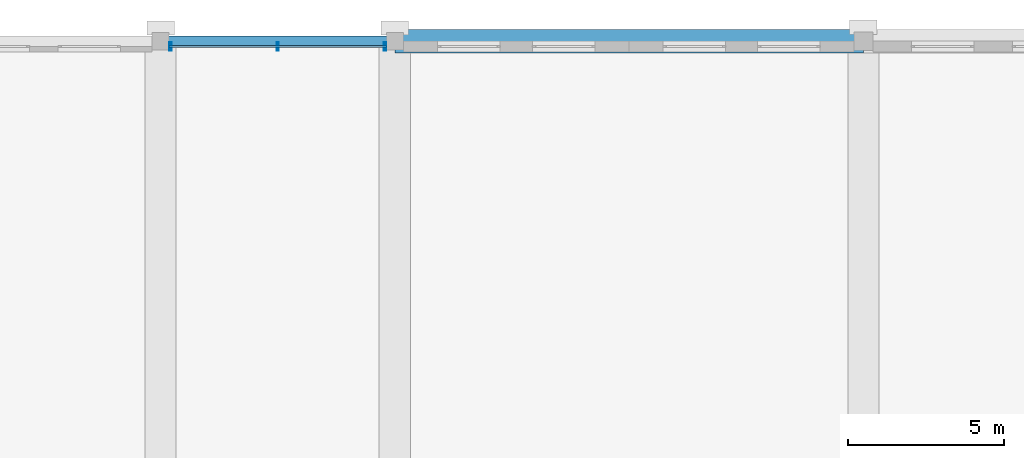
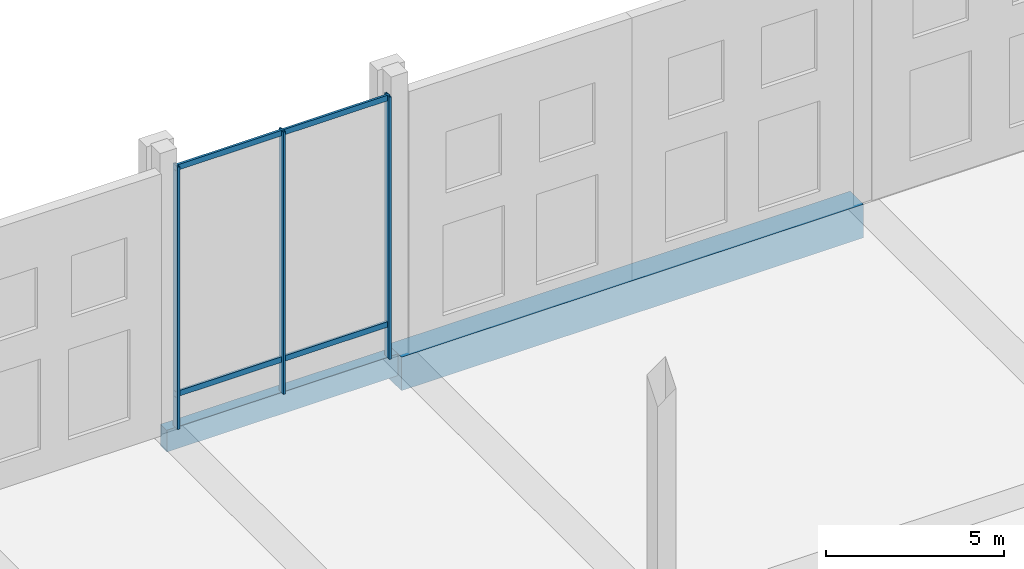
# One storey, part 37 of 80: 5 members, 2 beams, 1 element without a shape of its own.
"""IFC4 building model written with IfcOpenShell, lengths in metres."""

from ifc_helpers import new_model, si_unit, direction, frame, origin, origin_2d, place, context, subcontext, project, spatial, rectangle, hollow_rectangle, extrude, material, material_profile, profile_set, type_object, element, aggregate, save


model = new_model("IFC4")

# Units and contexts
model_context = context("Model", 3, precision=1e-05, world=origin(), true_north=direction((0.0, 1.0)))
body_context = subcontext(model_context, "Body", "Model", "MODEL_VIEW")
ifc_project = project(units=[si_unit("LENGTHUNIT", "METRE"), si_unit("AREAUNIT", "SQUARE_METRE"), si_unit("VOLUMEUNIT", "CUBIC_METRE"), si_unit("PLANEANGLEUNIT", "RADIAN"), si_unit("MASSUNIT", "GRAM", prefix="KILO")], contexts=[model_context])

# Site, building, storey
site_placement = place(None, origin())
site = spatial("IfcSite", under=ifc_project, at=site_placement, CompositionType="ELEMENT")
building_placement = place(site_placement, origin())
building = spatial("IfcBuilding", under=site, at=building_placement, Name="Akrevak Sports Hall", CompositionType="ELEMENT")
storey_placement = place(building_placement, frame((0.0, 0.0, 14.0)))
storey = spatial("IfcBuildingStorey", under=building, at=storey_placement, Name="L03", CompositionType="ELEMENT", Elevation=14.0)

# Curtain wall, members
ifc_material_1 = material(Name="Anodized Bronze Aluminium & Low-E Glass", Category="aluminium")
curtain_wall_type = type_object("IfcCurtainWallType", Name="ARC-CW-POD-64x94", PredefinedType="NOTDEFINED", material=ifc_material_1)
curtain_wall_placement = place(storey_placement, origin())
curtain_wall = element("IfcCurtainWall", 1, at=curtain_wall_placement, inside=storey, type_object=curtain_wall_type, Name="Curtain Wall CW-L03-N06", PredefinedType="NOTDEFINED")
ifc_material_2 = material(Name="Anodized Bronze Aluminium", Category="aluminium")
ifc_material_profile_1 = material_profile(ifc_material_2, hollow_rectangle(XDim=0.074951171875, YDim=0.260009765625, WallThickness=0.0048828125, at=origin_2d()), Name="CWM 75x260", Category="aluminium")
ifc_profile_set_1 = profile_set([ifc_material_profile_1], Name="Anodized Bronze Aluminium")
member_type_1 = type_object("IfcMemberType", Name="ARC-CWM-80x180", PredefinedType="MULLION", material=ifc_profile_set_1)
member_1_placement = place(storey_placement, frame((44.68505859375, 113.830078125, 0.0), z_axis=(0.0, 0.0, 1.0), x_axis=(-1.0, 0.0, 0.0)))
member_1 = element("IfcMember", 2, at=member_1_placement, type_object=member_type_1, Name="Curtain Wall Mullion CW-L03-N06-M1", PredefinedType="MULLION", context=body_context, shape_type="SweptSolid", body=[
    extrude(hollow_rectangle(XDim=0.074951171875, YDim=0.260009765625, WallThickness=0.0048828125, at=origin_2d()), origin(), (0.0, 0.0, 1.0), 9.0),
])
member_2_placement = place(storey_placement, frame((41.25, 113.830078125, 0.0), z_axis=(0.0, 0.0, 1.0), x_axis=(-1.0, 0.0, 0.0)))
member_2 = element("IfcMember", 3, at=member_2_placement, type_object=member_type_1, Name="Curtain Wall Mullion CW-L03-N06-M2", PredefinedType="MULLION", context=body_context, shape_type="SweptSolid", body=[
    extrude(hollow_rectangle(XDim=0.074951171875, YDim=0.260009765625, WallThickness=0.0048828125, at=origin_2d()), origin(), (0.0, 0.0, 1.0), 9.0),
])
member_3_placement = place(storey_placement, frame((37.81494140625, 113.830078125, 0.0), z_axis=(0.0, 0.0, 1.0), x_axis=(-1.0, 0.0, 0.0)))
member_3 = element("IfcMember", 4, at=member_3_placement, type_object=member_type_1, Name="Curtain Wall Mullion CW-L03-N06-M3", PredefinedType="MULLION", context=body_context, shape_type="SweptSolid", body=[
    extrude(hollow_rectangle(XDim=0.074951171875, YDim=0.260009765625, WallThickness=0.0048828125, at=origin_2d()), origin(), (0.0, 0.0, 1.0), 9.0),
])
ifc_material_profile_2 = material_profile(ifc_material_2, hollow_rectangle(XDim=0.074951171875, YDim=0.18994140625, WallThickness=0.00439453125, at=origin_2d()), Name="CWT 75x190", Category="aluminium")
ifc_profile_set_2 = profile_set([ifc_material_profile_2], Name="Anodized Bronze Aluminium")
member_type_2 = type_object("IfcMemberType", Name="ARC-CWT-80x150", PredefinedType="USERDEFINED", material=ifc_profile_set_2)
member_4_placement = place(storey_placement, frame((44.72509765625, 113.830078125, 1.14990234375), z_axis=(-1.0, 0.0, 0.0), x_axis=(0.0, -1.0, 0.0)))
member_4 = element("IfcMember", 5, at=member_4_placement, type_object=member_type_2, Name="Curtain Wall Transom CW-L03-N06-T1", ObjectType="TRANSOM", PredefinedType="USERDEFINED", context=body_context, shape_type="SweptSolid", body=[
    extrude(hollow_rectangle(XDim=0.074951171875, YDim=0.18994140625, WallThickness=0.00439453125, at=origin_2d()), origin(), (0.0, 0.0, 1.0), 6.9501953125),
])
member_5_placement = place(storey_placement, frame((44.72509765625, 113.830078125, 8.919921875), z_axis=(-1.0, 0.0, 0.0), x_axis=(0.0, -1.0, 0.0)))
member_5 = element("IfcMember", 6, at=member_5_placement, type_object=member_type_2, Name="Curtain Wall Transom CW-L03-N06-T2", ObjectType="TRANSOM", PredefinedType="USERDEFINED", context=body_context, shape_type="SweptSolid", body=[
    extrude(hollow_rectangle(XDim=0.074951171875, YDim=0.18994140625, WallThickness=0.00439453125, at=origin_2d()), origin(), (0.0, 0.0, 1.0), 6.9501953125),
])
aggregate(curtain_wall, [member_1, member_2, member_3, member_4, member_5])

# Beams
ifc_material_3 = material(Name="Concrete C50/60", Category="concrete")
ifc_material_profile_3 = material_profile(ifc_material_3, rectangle(XDim=0.75, YDim=1.14990234375, at=origin_2d()), Name="SPD 750x1150", Category="concrete")
ifc_profile_set_3 = profile_set([ifc_material_profile_3], Name="Concrete C50/60")
beam_type_1 = type_object("IfcBeamType", Name="STR-SPD-LSP750x1150", PredefinedType="SPANDREL", material=ifc_profile_set_3)
beam_1_placement = place(storey_placement, frame((45.0, 114.0, -0.574951171875), z_axis=(1.0, 0.0, 0.0), x_axis=(0.0, 1.0, 0.0)))
element("IfcBeam", 7, at=beam_1_placement, inside=storey, type_object=beam_type_1, Name="Girder Q/7-9 (L03)", PredefinedType="SPANDREL", context=body_context, shape_type="SweptSolid", body=[
    extrude(rectangle(XDim=0.75, YDim=1.14990234375, at=origin_2d()), origin(), (0.0, 0.0, 1.0), 15.0),
])
ifc_material_4 = material(Name="Concrete C40/50", Category="concrete")
ifc_material_profile_4 = material_profile(ifc_material_4, rectangle(XDim=0.35009765625, YDim=0.75, at=origin_2d()), Name="SPD 350x750", Category="concrete")
ifc_profile_set_4 = profile_set([ifc_material_profile_4], Name="Concrete C40/50")
beam_type_2 = type_object("IfcBeamType", Name="STR-SPD-RC350x750", PredefinedType="SPANDREL", material=ifc_profile_set_4)
beam_2_placement = place(storey_placement, frame((37.5, 114.0, -0.375), z_axis=(1.0, 0.0, 0.0), x_axis=(0.0, 1.0, 0.0)))
element("IfcBeam", 8, at=beam_2_placement, inside=storey, type_object=beam_type_2, Name="Girder Q/6-7 (L03)", PredefinedType="SPANDREL", context=body_context, shape_type="SweptSolid", body=[
    extrude(rectangle(XDim=0.35009765625, YDim=0.75, at=origin_2d()), origin(), (0.0, 0.0, 1.0), 7.5),
])

save(model, "model.ifc")
